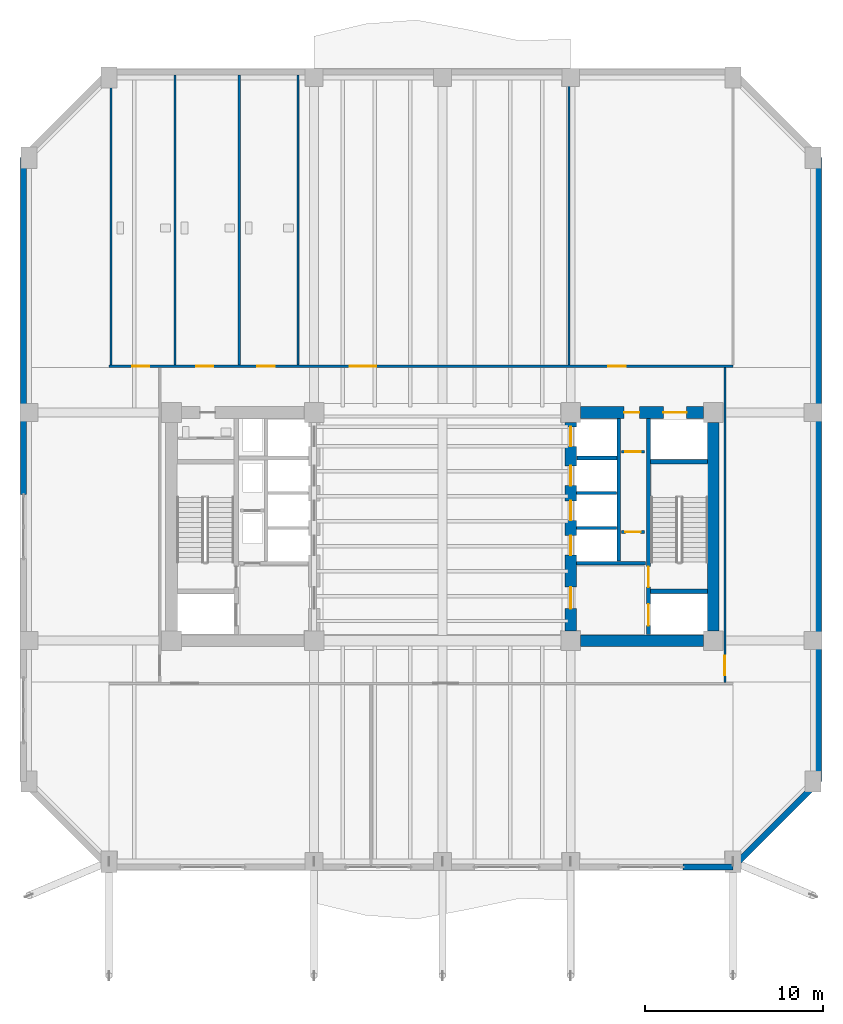
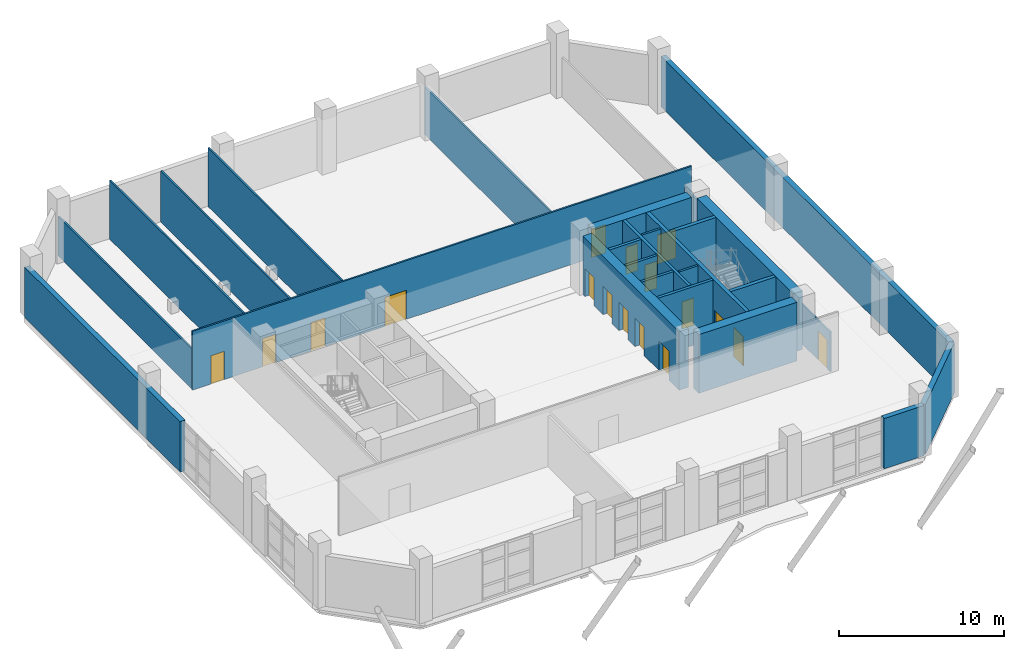
# One storey, part 10 of 16: 25 walls, 17 doors, 17 openings.
"""IFC4 building model written with IfcOpenShell, lengths in metres."""

from ifc_helpers import new_model, si_unit, direction, frame, frame_2d, origin, place, context, subcontext, project, spatial, rectangle, extrude, material, layer, layer_set, type_object, element, fill, save


model = new_model("IFC4")

# Units and contexts
model_context = context("Model", 3, precision=1e-05, world=origin(), true_north=direction((0.0, 1.0)))
body_context = subcontext(model_context, "Body", "Model", "MODEL_VIEW")
ifc_project = project(units=[si_unit("LENGTHUNIT", "METRE"), si_unit("AREAUNIT", "SQUARE_METRE"), si_unit("VOLUMEUNIT", "CUBIC_METRE"), si_unit("PLANEANGLEUNIT", "RADIAN"), si_unit("MASSUNIT", "GRAM", prefix="KILO")], contexts=[model_context])

# Site, building, storey
site_placement = place(None, origin())
site = spatial("IfcSite", under=ifc_project, at=site_placement, CompositionType="ELEMENT")
building_placement = place(site_placement, origin())
building = spatial("IfcBuilding", under=site, at=building_placement, Name="Kranthara Brick Stack", CompositionType="ELEMENT")
storey_placement = place(building_placement, frame((0.0, 0.0, 115.5)))
storey = spatial("IfcBuildingStorey", under=building, at=storey_placement, Name="L28", CompositionType="ELEMENT", Elevation=115.5)

# Walls
ifc_material_1 = material(Name="Kiln-fired clay brick masonry M15", Category="masonry")
ifc_layer_1 = layer(ifc_material_1, 0.35009765625)
ifc_layer_set_1 = layer_set([ifc_layer_1], Name="Kiln-fired clay brick masonry M15")
wall_type_1 = type_object("IfcWallType", Name="WL-BRK-SPND-350", PredefinedType="STANDARD", material=ifc_layer_set_1)
wall_1_placement = place(storey_placement, frame((44.300048828125, 8.094970703125, 0.0), z_axis=(0.0, 0.0, 1.0), x_axis=(-1.0, 0.0, 0.0)))
element("IfcWall", 1, at=wall_1_placement, inside=storey, type_object=wall_type_1, Name="L28 Exterior Brick Facade Wall SOUTH 1", PredefinedType="STANDARD", context=body_context, shape_type="SweptSolid", body=[
    extrude(rectangle(XDim=2.800048828125, YDim=0.35009765625, at=frame_2d((1.39990234375, 0.0))), origin(), (0.0, 0.0, 1.0), 3.735107421875),
])
wall_2_placement = place(storey_placement, frame((4.4951171875, 29.0, 0.0), z_axis=(0.0, 0.0, 1.0), x_axis=(0.0, 1.0, 0.0)))
element("IfcWall", 2, at=wall_2_placement, inside=storey, type_object=wall_type_1, Name="L28 Exterior Brick Facade Wall WEST 3", PredefinedType="STANDARD", context=body_context, shape_type="SweptSolid", body=[
    extrude(rectangle(XDim=18.89990234375, YDim=0.35009765625, at=frame_2d((9.449951171875, 0.0))), origin(), (0.0, 0.0, 1.0), 3.735107421875),
])
wall_3_placement = place(storey_placement, frame((49.10498046875, 47.89990234375, 0.0), z_axis=(0.0, 0.0, 1.0), x_axis=(0.0, -1.0, 0.0)))
element("IfcWall", 3, at=wall_3_placement, inside=storey, type_object=wall_type_1, Name="L28 Exterior Brick Facade Wall EAST 1", PredefinedType="STANDARD", context=body_context, shape_type="SweptSolid", body=[
    extrude(rectangle(XDim=35.0, YDim=0.35009765625, at=frame_2d((17.5, 0.0))), origin(), (0.0, 0.0, 1.0), 3.735107421875),
])
wall_4_placement = place(storey_placement, frame((49.10498046875, 12.89990234375, 0.0), z_axis=(0.0, 0.0, 1.0), x_axis=(-0.707106781187, -0.707106781187, 0.0)))
element("IfcWall", 4, at=wall_4_placement, inside=storey, type_object=wall_type_1, Name="L28 Exterior Brick Facade Wall SE 1", PredefinedType="STANDARD", context=body_context, shape_type="SweptSolid", body=[
    extrude(rectangle(XDim=6.795166015625, YDim=0.35009765625, at=frame_2d((3.3974609375, 0.0))), origin(), (0.0, 0.0, 1.0), 3.735107421875),
])

# Wall, openings, doors
ifc_material_2 = material(Name="Concrete C50/60", Category="concrete")
ifc_layer_2 = layer(ifc_material_2, 0.25)
ifc_layer_set_2 = layer_set([ifc_layer_2], Name="Concrete C50/60")
wall_type_2 = type_object("IfcWallType", Name="WL-CORE-250", PredefinedType="SHEAR", material=ifc_layer_set_2)
wall_5_placement = place(storey_placement, frame((39.56494140625, 21.135009765625, 0.0), z_axis=(0.0, 0.0, 1.0), x_axis=(0.0, 1.0, 0.0)))
wall_5 = element("IfcWall", 5, at=wall_5_placement, inside=storey, type_object=wall_type_2, Name="L28 East Core Stair Bearing Spine Wall", PredefinedType="SHEAR", context=body_context, shape_type="SweptSolid", body=[
    extrude(rectangle(XDim=12.1298828125, YDim=0.25, at=frame_2d((6.06494140625, 0.0))), origin(), (0.0, 0.0, 1.0), 4.35009765625),
])
opening_1_placement = place(wall_5_placement, frame((0.514892578125, 0.0, 0.0)))
opening_1 = element("IfcOpeningElement", 6, at=opening_1_placement, cuts=wall_5, Name="Opening LD01", PredefinedType="OPENING", context=body_context, shape_type="SweptSolid", body=[
    extrude(rectangle(XDim=1.199951171875, YDim=2.14990234375, at=frame_2d((0.60009765625, 1.074951171875))), frame((0.0, 0.135009765625, 0.0), z_axis=(0.0, -1.0, 0.0), x_axis=(1.0, 0.0, 0.0)), (0.0, 0.0, 1.0), 0.27001953125),
])
opening_2_placement = place(wall_5_placement, frame((2.6650390625, 0.0, 0.0)))
opening_2 = element("IfcOpeningElement", 7, at=opening_2_placement, cuts=wall_5, Name="Opening D05", PredefinedType="OPENING", context=body_context, shape_type="SweptSolid", body=[
    extrude(rectangle(XDim=1.14990234375, YDim=2.14990234375, at=frame_2d((0.574951171875, 1.074951171875))), frame((0.0, 0.135009765625, 0.0), z_axis=(0.0, -1.0, 0.0), x_axis=(1.0, 0.0, 0.0)), (0.0, 0.0, 1.0), 0.27001953125),
])
ifc_material_3 = material(Name="Stainless steel sliding landing door", Category="steel")
door_type_1 = type_object("IfcDoorType", Name="DR-LD-FF1200", OperationType="DOUBLE_DOOR_SLIDING", PredefinedType="DOOR", material=ifc_material_3)
door_1_placement = place(opening_1_placement, origin())
door_1 = element("IfcDoor", 8, at=door_1_placement, inside=storey, type_object=door_type_1, Name="L28 Firefighting Lift FF-02 Landing Door", OperationType="DOUBLE_DOOR_SLIDING", OverallHeight=2.14990234375, OverallWidth=1.199951171875, PredefinedType="DOOR", context=body_context, shape_type="SweptSolid", body=[
    extrude(rectangle(XDim=1.199951171875, YDim=2.14990234375, at=frame_2d((0.60009765625, 1.074951171875))), frame((0.0, 0.02490234375, 0.0), z_axis=(0.0, -1.0, 0.0), x_axis=(1.0, 0.0, 0.0)), (0.0, 0.0, 1.0), 0.050048828125),
])
fill(opening_1, door_1)
ifc_material_4 = material(Name="Solid-core hardwood timber leaf in steel frame", Category="steel")
door_type_2 = type_object("IfcDoorType", Name="DR-ST-1150", OperationType="NOTDEFINED", PredefinedType="DOOR", material=ifc_material_4)
door_2_placement = place(opening_2_placement, origin())
door_2 = element("IfcDoor", 9, at=door_2_placement, inside=storey, type_object=door_type_2, Name="L28 Exit Stair ST02 Door", OperationType="SINGLE_SWING_LEFT", OverallHeight=2.14990234375, OverallWidth=1.14990234375, PredefinedType="DOOR", context=body_context, shape_type="SweptSolid", body=[
    extrude(rectangle(XDim=1.14990234375, YDim=2.14990234375, at=frame_2d((0.574951171875, 1.074951171875))), frame((0.0, 0.02490234375, 0.0), z_axis=(0.0, -1.0, 0.0), x_axis=(1.0, 0.0, 0.0)), (0.0, 0.0, 1.0), 0.050048828125),
])
fill(opening_2, door_2)

# Walls
for number, where, z_axis, x_axis, name in (
    (10, (39.68994140625, 23.570068359375, 0.0), (0.0, 0.0, 1.0), (1.0, 0.0, 0.0), "L28 East Stairwell Bearing Wall EFF"),
    (11, (39.68994140625, 30.830078125, 0.0), (0.0, 0.0, 1.0), (1.0, 0.0, 0.0), "L28 East Stairwell Bearing Wall EST"),
):
    element("IfcWall", number, at=place(storey_placement, frame(where, z_axis=z_axis, x_axis=x_axis)), inside=storey, type_object=wall_type_2, Name=name, PredefinedType="SHEAR", context=body_context, shape_type="SweptSolid", body=[
        extrude(rectangle(XDim=3.175048828125, YDim=0.25, at=frame_2d((1.58740234375, 0.0))), origin(), (0.0, 0.0, 1.0), 4.35009765625),
    ])
ifc_material_5 = material(Name="Concrete C60/75", Category="concrete")
ifc_layer_3 = layer(ifc_material_5, 0.64990234375)
ifc_layer_set_3 = layer_set([ifc_layer_3], Name="Concrete C60/75")
wall_type_3 = type_object("IfcWallType", Name="WL-CORE-650", PredefinedType="SHEAR", material=ifc_layer_set_3)
wall_6_placement = place(storey_placement, frame((43.199951171875, 21.35498046875, 0.0), z_axis=(0.0, 0.0, 1.0), x_axis=(0.0, 1.0, 0.0)))
element("IfcWall", 12, at=wall_6_placement, inside=storey, type_object=wall_type_3, Name="L28 East Core Shear Wall East", PredefinedType="SHEAR", context=body_context, shape_type="SweptSolid", body=[
    extrude(rectangle(XDim=11.68994140625, YDim=0.64990234375, at=frame_2d((5.844970703125, 0.0))), origin(), (0.0, 0.0, 1.0), 4.35009765625),
])
wall_7_placement = place(storey_placement, frame((35.7548828125, 20.800048828125, 0.0), z_axis=(0.0, 0.0, 1.0), x_axis=(1.0, 0.0, 0.0)))
element("IfcWall", 13, at=wall_7_placement, inside=storey, type_object=wall_type_3, Name="L28 East Core Shear Wall South", PredefinedType="SHEAR", context=body_context, shape_type="SweptSolid", body=[
    extrude(rectangle(XDim=6.89013671875, YDim=0.64990234375, at=frame_2d((3.445068359375, 0.0))), origin(), (0.0, 0.0, 1.0), 4.35009765625),
])

# Wall, openings, doors
wall_8_placement = place(storey_placement, frame((35.7548828125, 33.60009765625, 0.0), z_axis=(0.0, 0.0, 1.0), x_axis=(1.0, 0.0, 0.0)))
wall_8 = element("IfcWall", 14, at=wall_8_placement, inside=storey, type_object=wall_type_3, Name="L28 East Core Shear Wall North", PredefinedType="SHEAR", context=body_context, shape_type="SweptSolid", body=[
    extrude(rectangle(XDim=6.89013671875, YDim=0.64990234375, at=frame_2d((3.445068359375, 0.0))), origin(), (0.0, 0.0, 1.0), 4.35009765625),
])
opening_3_placement = place(wall_8_placement, frame((4.64501953125, 0.0, 0.0)))
opening_3 = element("IfcOpeningElement", 15, at=opening_3_placement, cuts=wall_8, Name="Opening LD03", PredefinedType="OPENING", context=body_context, shape_type="SweptSolid", body=[
    extrude(rectangle(XDim=1.300048828125, YDim=2.14990234375, at=frame_2d((0.64990234375, 1.074951171875))), frame((0.0, 0.3349609375, 0.0), z_axis=(0.0, -1.0, 0.0), x_axis=(1.0, 0.0, 0.0)), (0.0, 0.0, 1.0), 0.669921875),
])
opening_4_placement = place(wall_8_placement, frame((2.445068359375, 0.0, 0.0)))
opening_4 = element("IfcOpeningElement", 16, at=opening_4_placement, cuts=wall_8, Name="Opening D10", PredefinedType="OPENING", context=body_context, shape_type="SweptSolid", body=[
    extrude(rectangle(XDim=0.85009765625, YDim=2.02001953125, at=frame_2d((0.425048828125, 1.010009765625))), frame((0.0, 0.3349609375, 0.0), z_axis=(0.0, -1.0, 0.0), x_axis=(1.0, 0.0, 0.0)), (0.0, 0.0, 1.0), 0.669921875),
])
ifc_material_6 = material(Name="Stainless steel sliding landing door", Category="steel")
door_type_3 = type_object("IfcDoorType", Name="DR-LD-SV1300", OperationType="DOUBLE_DOOR_SLIDING", PredefinedType="DOOR", material=ifc_material_6)
door_3_placement = place(opening_3_placement, origin())
door_3 = element("IfcDoor", 17, at=door_3_placement, inside=storey, type_object=door_type_3, Name="L28 Stretcher Service Lift SV-01 Landing Door", OperationType="DOUBLE_DOOR_SLIDING", OverallHeight=2.14990234375, OverallWidth=1.300048828125, PredefinedType="DOOR", context=body_context, shape_type="SweptSolid", body=[
    extrude(rectangle(XDim=1.300048828125, YDim=2.14990234375, at=frame_2d((0.64990234375, 1.074951171875))), frame((0.0, 0.02490234375, 0.0), z_axis=(0.0, -1.0, 0.0), x_axis=(1.0, 0.0, 0.0)), (0.0, 0.0, 1.0), 0.050048828125),
])
fill(opening_3, door_3)
ifc_material_7 = material(Name="Solid-core hardwood timber leaf in steel frame", Category="steel")
door_type_4 = type_object("IfcDoorType", Name="DR-RSR-850", OperationType="NOTDEFINED", PredefinedType="DOOR", material=ifc_material_7)
door_4_placement = place(opening_4_placement, origin())
door_4 = element("IfcDoor", 18, at=door_4_placement, inside=storey, type_object=door_type_4, Name="L28 East Core Service Room Door", OperationType="SINGLE_SWING_LEFT", OverallHeight=2.02001953125, OverallWidth=0.85009765625, PredefinedType="DOOR", context=body_context, shape_type="SweptSolid", body=[
    extrude(rectangle(XDim=0.85009765625, YDim=2.02001953125, at=frame_2d((0.425048828125, 1.010009765625))), frame((0.0, 0.02490234375, 0.0), z_axis=(0.0, -1.0, 0.0), x_axis=(1.0, 0.0, 0.0)), (0.0, 0.0, 1.0), 0.050048828125),
])
fill(opening_4, door_4)

wall_9_placement = place(storey_placement, frame((35.199951171875, 21.35498046875, 0.0), z_axis=(0.0, 0.0, 1.0), x_axis=(0.0, 1.0, 0.0)))
wall_9 = element("IfcWall", 19, at=wall_9_placement, inside=storey, type_object=wall_type_3, Name="L28 East Core Shear Wall West", PredefinedType="SHEAR", context=body_context, shape_type="SweptSolid", body=[
    extrude(rectangle(XDim=11.68994140625, YDim=0.64990234375, at=frame_2d((5.844970703125, 0.0))), origin(), (0.0, 0.0, 1.0), 4.35009765625),
])
opening_5_placement = place(wall_9_placement, frame((1.2451171875, 0.0, 0.0)))
opening_5 = element("IfcOpeningElement", 20, at=opening_5_placement, cuts=wall_9, Name="Opening D06", PredefinedType="OPENING", context=body_context, shape_type="SweptSolid", body=[
    extrude(rectangle(XDim=1.199951171875, YDim=2.14990234375, at=frame_2d((0.60009765625, 1.074951171875))), frame((0.0, 0.3349609375, 0.0), z_axis=(0.0, -1.0, 0.0), x_axis=(1.0, 0.0, 0.0)), (0.0, 0.0, 1.0), 0.669921875),
])
opening_6_placement = place(wall_9_placement, frame((4.2451171875, 0.0, 0.0)))
opening_6 = element("IfcOpeningElement", 21, at=opening_6_placement, cuts=wall_9, Name="Opening LD02", PredefinedType="OPENING", context=body_context, shape_type="SweptSolid", body=[
    extrude(rectangle(XDim=1.10009765625, YDim=2.10009765625, at=frame_2d((0.550048828125, 1.050048828125))), frame((0.0, 0.3349609375, 0.0), z_axis=(0.0, -1.0, 0.0), x_axis=(1.0, 0.0, 0.0)), (0.0, 0.0, 1.0), 0.669921875),
])
opening_7_placement = place(wall_9_placement, frame((6.195068359375, 0.0, 0.0)))
opening_7 = element("IfcOpeningElement", 22, at=opening_7_placement, cuts=wall_9, Name="Opening LD02", PredefinedType="OPENING", context=body_context, shape_type="SweptSolid", body=[
    extrude(rectangle(XDim=1.10009765625, YDim=2.10009765625, at=frame_2d((0.550048828125, 1.050048828125))), frame((0.0, 0.3349609375, 0.0), z_axis=(0.0, -1.0, 0.0), x_axis=(1.0, 0.0, 0.0)), (0.0, 0.0, 1.0), 0.669921875),
])
opening_8_placement = place(wall_9_placement, frame((8.14501953125, 0.0, 0.0)))
opening_8 = element("IfcOpeningElement", 23, at=opening_8_placement, cuts=wall_9, Name="Opening LD02", PredefinedType="OPENING", context=body_context, shape_type="SweptSolid", body=[
    extrude(rectangle(XDim=1.10009765625, YDim=2.10009765625, at=frame_2d((0.550048828125, 1.050048828125))), frame((0.0, 0.3349609375, 0.0), z_axis=(0.0, -1.0, 0.0), x_axis=(1.0, 0.0, 0.0)), (0.0, 0.0, 1.0), 0.669921875),
])
opening_9_placement = place(wall_9_placement, frame((10.344970703125, 0.0, 0.0)))
opening_9 = element("IfcOpeningElement", 24, at=opening_9_placement, cuts=wall_9, Name="Opening LD02", PredefinedType="OPENING", context=body_context, shape_type="SweptSolid", body=[
    extrude(rectangle(XDim=1.10009765625, YDim=2.10009765625, at=frame_2d((0.550048828125, 1.050048828125))), frame((0.0, 0.3349609375, 0.0), z_axis=(0.0, -1.0, 0.0), x_axis=(1.0, 0.0, 0.0)), (0.0, 0.0, 1.0), 0.669921875),
])
ifc_material_8 = material(Name="Solid-core hardwood timber leaf in steel frame", Category="steel")
door_type_5 = type_object("IfcDoorType", Name="DR-FFL-1200", OperationType="NOTDEFINED", PredefinedType="DOOR", material=ifc_material_8)
door_5_placement = place(opening_5_placement, origin())
door_5 = element("IfcDoor", 25, at=door_5_placement, inside=storey, type_object=door_type_5, Name="L28 East Firefighting Lobby Door", OperationType="SINGLE_SWING_RIGHT", OverallHeight=2.14990234375, OverallWidth=1.199951171875, PredefinedType="DOOR", context=body_context, shape_type="SweptSolid", body=[
    extrude(rectangle(XDim=1.199951171875, YDim=2.14990234375, at=frame_2d((0.60009765625, 1.074951171875))), frame((0.0, 0.02490234375, 0.0), z_axis=(0.0, -1.0, 0.0), x_axis=(1.0, 0.0, 0.0)), (0.0, 0.0, 1.0), 0.050048828125),
])
fill(opening_5, door_5)
ifc_material_9 = material(Name="Stainless steel sliding landing door", Category="steel")
door_type_6 = type_object("IfcDoorType", Name="DR-LD-PL1100", OperationType="DOUBLE_DOOR_SLIDING", PredefinedType="DOOR", material=ifc_material_9)
door_6_placement = place(opening_6_placement, origin())
door_6 = element("IfcDoor", 26, at=door_6_placement, inside=storey, type_object=door_type_6, Name="L28 PL-04 Lift Landing Door", OperationType="DOUBLE_DOOR_SLIDING", OverallHeight=2.10009765625, OverallWidth=1.10009765625, PredefinedType="DOOR", context=body_context, shape_type="SweptSolid", body=[
    extrude(rectangle(XDim=1.10009765625, YDim=2.10009765625, at=frame_2d((0.550048828125, 1.050048828125))), frame((0.0, 0.02490234375, 0.0), z_axis=(0.0, -1.0, 0.0), x_axis=(1.0, 0.0, 0.0)), (0.0, 0.0, 1.0), 0.050048828125),
])
fill(opening_6, door_6)
door_7_placement = place(opening_7_placement, origin())
door_7 = element("IfcDoor", 27, at=door_7_placement, inside=storey, type_object=door_type_6, Name="L28 PL-05 Lift Landing Door", OperationType="DOUBLE_DOOR_SLIDING", OverallHeight=2.10009765625, OverallWidth=1.10009765625, PredefinedType="DOOR", context=body_context, shape_type="SweptSolid", body=[
    extrude(rectangle(XDim=1.10009765625, YDim=2.10009765625, at=frame_2d((0.550048828125, 1.050048828125))), frame((0.0, 0.02490234375, 0.0), z_axis=(0.0, -1.0, 0.0), x_axis=(1.0, 0.0, 0.0)), (0.0, 0.0, 1.0), 0.050048828125),
])
fill(opening_7, door_7)
door_8_placement = place(opening_8_placement, origin())
door_8 = element("IfcDoor", 28, at=door_8_placement, inside=storey, type_object=door_type_6, Name="L28 PL-06 Lift Landing Door", OperationType="DOUBLE_DOOR_SLIDING", OverallHeight=2.10009765625, OverallWidth=1.10009765625, PredefinedType="DOOR", context=body_context, shape_type="SweptSolid", body=[
    extrude(rectangle(XDim=1.10009765625, YDim=2.10009765625, at=frame_2d((0.550048828125, 1.050048828125))), frame((0.0, 0.02490234375, 0.0), z_axis=(0.0, -1.0, 0.0), x_axis=(1.0, 0.0, 0.0)), (0.0, 0.0, 1.0), 0.050048828125),
])
fill(opening_8, door_8)
door_9_placement = place(opening_9_placement, origin())
door_9 = element("IfcDoor", 29, at=door_9_placement, inside=storey, type_object=door_type_6, Name="L28 PL-08 Lift Landing Door", OperationType="DOUBLE_DOOR_SLIDING", OverallHeight=2.10009765625, OverallWidth=1.10009765625, PredefinedType="DOOR", context=body_context, shape_type="SweptSolid", body=[
    extrude(rectangle(XDim=1.10009765625, YDim=2.10009765625, at=frame_2d((0.550048828125, 1.050048828125))), frame((0.0, 0.02490234375, 0.0), z_axis=(0.0, -1.0, 0.0), x_axis=(1.0, 0.0, 0.0)), (0.0, 0.0, 1.0), 0.050048828125),
])
fill(opening_9, door_9)

ifc_material_10 = material(Name="Acoustic gypsum plasterboard partition", Category="other")
ifc_layer_4 = layer(ifc_material_10, 0.1201171875)
ifc_layer_set_4 = layer_set([ifc_layer_4], Name="Acoustic gypsum plasterboard partition")
wall_type_4 = type_object("IfcWallType", Name="WL-PART-120", PredefinedType="PARTITIONING", material=ifc_layer_set_4)
wall_10_placement = place(storey_placement, frame((9.300048828125, 36.199951171875, 0.0), z_axis=(0.0, 0.0, 1.0), x_axis=(1.0, 0.0, 0.0)))
wall_10 = element("IfcWall", 30, at=wall_10_placement, inside=storey, type_object=wall_type_4, Name="L28 Interior Partition 006", PredefinedType="PARTITIONING", context=body_context, shape_type="SweptSolid", body=[
    extrude(rectangle(XDim=35.0, YDim=0.1201171875, at=frame_2d((17.5, 0.0))), origin(), (0.0, 0.0, 1.0), 4.35009765625),
])
opening_10_placement = place(wall_10_placement, frame((1.300048828125, 0.0, 0.0)))
opening_10 = element("IfcOpeningElement", 31, at=opening_10_placement, cuts=wall_10, Name="Opening D14", PredefinedType="OPENING", context=body_context, shape_type="SweptSolid", body=[
    extrude(rectangle(XDim=0.949951171875, YDim=2.10009765625, at=frame_2d((0.47509765625, 1.050048828125))), frame((0.0, 0.070068359375, 0.0), z_axis=(0.0, -1.0, 0.0), x_axis=(1.0, 0.0, 0.0)), (0.0, 0.0, 1.0), 0.14013671875),
])
opening_11_placement = place(wall_10_placement, frame((4.89990234375, 0.0, 0.0)))
opening_11 = element("IfcOpeningElement", 32, at=opening_11_placement, cuts=wall_10, Name="Opening D14", PredefinedType="OPENING", context=body_context, shape_type="SweptSolid", body=[
    extrude(rectangle(XDim=0.949951171875, YDim=2.10009765625, at=frame_2d((0.47509765625, 1.050048828125))), frame((0.0, 0.070068359375, 0.0), z_axis=(0.0, -1.0, 0.0), x_axis=(1.0, 0.0, 0.0)), (0.0, 0.0, 1.0), 0.14013671875),
])
opening_12_placement = place(wall_10_placement, frame((8.300048828125, 0.0, 0.0)))
opening_12 = element("IfcOpeningElement", 33, at=opening_12_placement, cuts=wall_10, Name="Opening D18", PredefinedType="OPENING", context=body_context, shape_type="SweptSolid", body=[
    extrude(rectangle(XDim=1.0, YDim=2.10009765625, at=frame_2d((0.5, 1.050048828125))), frame((0.0, 0.070068359375, 0.0), z_axis=(0.0, -1.0, 0.0), x_axis=(1.0, 0.0, 0.0)), (0.0, 0.0, 1.0), 0.14013671875),
])
opening_13_placement = place(wall_10_placement, frame((13.5, 0.0, 0.0)))
opening_13 = element("IfcOpeningElement", 34, at=opening_13_placement, cuts=wall_10, Name="Opening D20", PredefinedType="OPENING", context=body_context, shape_type="SweptSolid", body=[
    extrude(rectangle(XDim=1.5, YDim=2.14990234375, at=frame_2d((0.75, 1.074951171875))), frame((0.0, 0.070068359375, 0.0), z_axis=(0.0, -1.0, 0.0), x_axis=(1.0, 0.0, 0.0)), (0.0, 0.0, 1.0), 0.14013671875),
])
opening_14_placement = place(wall_10_placement, frame((28.0, 0.0, 0.0)))
opening_14 = element("IfcOpeningElement", 35, at=opening_14_placement, cuts=wall_10, Name="Opening D13", PredefinedType="OPENING", context=body_context, shape_type="SweptSolid", body=[
    extrude(rectangle(XDim=1.0, YDim=2.10009765625, at=frame_2d((0.5, 1.050048828125))), frame((0.0, 0.070068359375, 0.0), z_axis=(0.0, -1.0, 0.0), x_axis=(1.0, 0.0, 0.0)), (0.0, 0.0, 1.0), 0.14013671875),
])
ifc_material_11 = material(Name="Solid-core hardwood timber leaf in steel frame", Category="steel")
door_type_7 = type_object("IfcDoorType", Name="DR-ACC-1000", OperationType="NOTDEFINED", PredefinedType="DOOR", material=ifc_material_11)
door_10_placement = place(opening_12_placement, origin())
door_10 = element("IfcDoor", 36, at=door_10_placement, inside=storey, type_object=door_type_7, Name="L28 Accessible WC 09", OperationType="SINGLE_SWING_LEFT", OverallHeight=2.10009765625, OverallWidth=1.0, PredefinedType="DOOR", context=body_context, shape_type="SweptSolid", body=[
    extrude(rectangle(XDim=1.0, YDim=2.10009765625, at=frame_2d((0.5, 1.050048828125))), frame((0.0, 0.02490234375, 0.0), z_axis=(0.0, -1.0, 0.0), x_axis=(1.0, 0.0, 0.0)), (0.0, 0.0, 1.0), 0.050048828125),
])
fill(opening_12, door_10)
ifc_material_12 = material(Name="Solid-core hardwood timber leaf in steel frame", Category="steel")
door_type_8 = type_object("IfcDoorType", Name="DR-DBL-1500", OperationType="DOUBLE_DOOR_SINGLE_SWING", PredefinedType="DOOR", material=ifc_material_12)
door_11_placement = place(opening_13_placement, origin())
door_11 = element("IfcDoor", 37, at=door_11_placement, inside=storey, type_object=door_type_8, Name="L28 Fitness Club Door 10", OperationType="DOUBLE_DOOR_SINGLE_SWING", OverallHeight=2.14990234375, OverallWidth=1.5, PredefinedType="DOOR", context=body_context, shape_type="SweptSolid", body=[
    extrude(rectangle(XDim=1.5, YDim=2.14990234375, at=frame_2d((0.75, 1.074951171875))), frame((0.0, 0.02490234375, 0.0), z_axis=(0.0, -1.0, 0.0), x_axis=(1.0, 0.0, 0.0)), (0.0, 0.0, 1.0), 0.050048828125),
])
fill(opening_13, door_11)
ifc_material_13 = material(Name="Solid-core hardwood timber leaf in steel frame", Category="steel")
door_type_9 = type_object("IfcDoorType", Name="DR-INT-1000", OperationType="NOTDEFINED", PredefinedType="DOOR", material=ifc_material_13)
door_12_placement = place(opening_14_placement, origin())
door_12 = element("IfcDoor", 38, at=door_12_placement, inside=storey, type_object=door_type_9, Name="L28 Equipment Store Door 11", OperationType="SINGLE_SWING_LEFT", OverallHeight=2.10009765625, OverallWidth=1.0, PredefinedType="DOOR", context=body_context, shape_type="SweptSolid", body=[
    extrude(rectangle(XDim=1.0, YDim=2.10009765625, at=frame_2d((0.5, 1.050048828125))), frame((0.0, 0.02490234375, 0.0), z_axis=(0.0, -1.0, 0.0), x_axis=(1.0, 0.0, 0.0)), (0.0, 0.0, 1.0), 0.050048828125),
])
fill(opening_14, door_12)
ifc_material_14 = material(Name="Solid-core hardwood timber leaf in steel frame", Category="steel")
door_type_10 = type_object("IfcDoorType", Name="DR-INT-950", OperationType="NOTDEFINED", PredefinedType="DOOR", material=ifc_material_14)
door_13_placement = place(opening_10_placement, origin())
door_13 = element("IfcDoor", 39, at=door_13_placement, inside=storey, type_object=door_type_10, Name="L28 Male WC 07", OperationType="SINGLE_SWING_LEFT", OverallHeight=2.10009765625, OverallWidth=0.949951171875, PredefinedType="DOOR", context=body_context, shape_type="SweptSolid", body=[
    extrude(rectangle(XDim=0.949951171875, YDim=2.10009765625, at=frame_2d((0.47509765625, 1.050048828125))), frame((0.0, 0.02490234375, 0.0), z_axis=(0.0, -1.0, 0.0), x_axis=(1.0, 0.0, 0.0)), (0.0, 0.0, 1.0), 0.050048828125),
])
fill(opening_10, door_13)
door_14_placement = place(opening_11_placement, origin())
door_14 = element("IfcDoor", 40, at=door_14_placement, inside=storey, type_object=door_type_10, Name="L28 Female WC 08", OperationType="SINGLE_SWING_RIGHT", OverallHeight=2.10009765625, OverallWidth=0.949951171875, PredefinedType="DOOR", context=body_context, shape_type="SweptSolid", body=[
    extrude(rectangle(XDim=0.949951171875, YDim=2.10009765625, at=frame_2d((0.47509765625, 1.050048828125))), frame((0.0, 0.02490234375, 0.0), z_axis=(0.0, -1.0, 0.0), x_axis=(1.0, 0.0, 0.0)), (0.0, 0.0, 1.0), 0.050048828125),
])
fill(opening_11, door_14)

# Walls
wall_11_placement = place(storey_placement, frame((9.39990234375, 36.264892578125, 0.0), z_axis=(0.0, 0.0, 1.0), x_axis=(0.0, 1.0, 0.0)))
element("IfcWall", 41, at=wall_11_placement, inside=storey, type_object=wall_type_4, Name="L28 Interior Partition 008", PredefinedType="PARTITIONING", context=body_context, shape_type="SweptSolid", body=[
    extrude(rectangle(XDim=16.260009765625, YDim=0.1201171875, at=frame_2d((8.1298828125, 0.0))), origin(), (0.0, 0.0, 1.0), 2.93505859375),
])
wall_12_placement = place(storey_placement, frame((13.0, 36.264892578125, 0.0), z_axis=(0.0, 0.0, 1.0), x_axis=(0.0, 1.0, 0.0)))
element("IfcWall", 42, at=wall_12_placement, inside=storey, type_object=wall_type_4, Name="L28 Interior Partition 009", PredefinedType="PARTITIONING", context=body_context, shape_type="SweptSolid", body=[
    extrude(rectangle(XDim=16.260009765625, YDim=0.1201171875, at=frame_2d((8.1298828125, 0.0))), origin(), (0.0, 0.0, 1.0), 4.35009765625),
])
wall_13_placement = place(storey_placement, frame((16.60009765625, 36.264892578125, 0.0), z_axis=(0.0, 0.0, 1.0), x_axis=(0.0, 1.0, 0.0)))
element("IfcWall", 43, at=wall_13_placement, inside=storey, type_object=wall_type_4, Name="L28 Interior Partition 010", PredefinedType="PARTITIONING", context=body_context, shape_type="SweptSolid", body=[
    extrude(rectangle(XDim=16.260009765625, YDim=0.1201171875, at=frame_2d((8.1298828125, 0.0))), origin(), (0.0, 0.0, 1.0), 3.784912109375),
])
wall_14_placement = place(storey_placement, frame((19.89990234375, 36.264892578125, 0.0), z_axis=(0.0, 0.0, 1.0), x_axis=(0.0, 1.0, 0.0)))
element("IfcWall", 44, at=wall_14_placement, inside=storey, type_object=wall_type_4, Name="L28 Interior Partition 011", PredefinedType="PARTITIONING", context=body_context, shape_type="SweptSolid", body=[
    extrude(rectangle(XDim=16.260009765625, YDim=0.1201171875, at=frame_2d((8.1298828125, 0.0))), origin(), (0.0, 0.0, 1.0), 4.35009765625),
])
wall_15_placement = place(storey_placement, frame((35.10009765625, 36.264892578125, 0.0), z_axis=(0.0, 0.0, 1.0), x_axis=(0.0, 1.0, 0.0)))
element("IfcWall", 45, at=wall_15_placement, inside=storey, type_object=wall_type_4, Name="L28 Interior Partition 013", PredefinedType="PARTITIONING", context=body_context, shape_type="SweptSolid", body=[
    extrude(rectangle(XDim=16.260009765625, YDim=0.1201171875, at=frame_2d((8.1298828125, 0.0))), origin(), (0.0, 0.0, 1.0), 3.534912109375),
])

# Wall, opening, door
wall_16_placement = place(storey_placement, frame((43.85009765625, 18.465087890625, 0.0), z_axis=(0.0, 0.0, 1.0), x_axis=(0.0, 1.0, 0.0)))
wall_16 = element("IfcWall", 46, at=wall_16_placement, inside=storey, type_object=wall_type_4, Name="L28 Interior Partition 015", PredefinedType="PARTITIONING", context=body_context, shape_type="SweptSolid", body=[
    extrude(rectangle(XDim=17.669921875, YDim=0.1201171875, at=frame_2d((8.8349609375, 0.0))), origin(), (0.0, 0.0, 1.0), 2.93505859375),
])
opening_15_placement = place(wall_16_placement, frame((0.385009765625, 0.0, 0.0)))
opening_15 = element("IfcOpeningElement", 47, at=opening_15_placement, cuts=wall_16, Name="Opening D11", PredefinedType="OPENING", context=body_context, shape_type="SweptSolid", body=[
    extrude(rectangle(XDim=1.10009765625, YDim=2.14990234375, at=frame_2d((0.550048828125, 1.074951171875))), frame((0.0, 0.070068359375, 0.0), z_axis=(0.0, -1.0, 0.0), x_axis=(1.0, 0.0, 0.0)), (0.0, 0.0, 1.0), 0.14013671875),
])
ifc_material_15 = material(Name="Solid-core hardwood timber leaf in steel frame", Category="steel")
door_type_11 = type_object("IfcDoorType", Name="DR-INT-1100", OperationType="NOTDEFINED", PredefinedType="DOOR", material=ifc_material_15)
door_15_placement = place(opening_15_placement, origin())
door_15 = element("IfcDoor", 48, at=door_15_placement, inside=storey, type_object=door_type_11, Name="L28 East Sky Club Door 13", OperationType="SINGLE_SWING_LEFT", OverallHeight=2.14990234375, OverallWidth=1.10009765625, PredefinedType="DOOR", context=body_context, shape_type="SweptSolid", body=[
    extrude(rectangle(XDim=1.10009765625, YDim=2.14990234375, at=frame_2d((0.550048828125, 1.074951171875))), frame((0.0, 0.02490234375, 0.0), z_axis=(0.0, -1.0, 0.0), x_axis=(1.0, 0.0, 0.0)), (0.0, 0.0, 1.0), 0.050048828125),
])
fill(opening_15, door_15)

ifc_material_16 = material(Name="Fire-rated gypsum board partition", Category="other")
ifc_layer_5 = layer(ifc_material_16, 0.14990234375)
ifc_layer_set_5 = layer_set([ifc_layer_5], Name="Fire-rated gypsum board partition")
wall_type_5 = type_object("IfcWallType", Name="WL-PART-150", PredefinedType="PARTITIONING", material=ifc_layer_set_5)
wall_17_placement = place(storey_placement, frame((38.050048828125, 26.89990234375, 0.0), z_axis=(0.0, 0.0, 1.0), x_axis=(1.0, 0.0, 0.0)))
wall_17 = element("IfcWall", 49, at=wall_17_placement, inside=storey, type_object=wall_type_5, Name="L28 Interior Partition 002", PredefinedType="PARTITIONING", context=body_context, shape_type="SweptSolid", body=[
    extrude(rectangle(XDim=1.300048828125, YDim=0.14990234375, at=frame_2d((0.64990234375, 0.0))), origin(), (0.0, 0.0, 1.0), 4.35009765625),
])
opening_16_placement = place(wall_17_placement, frame((0.219970703125, 0.0, 0.0)))
opening_16 = element("IfcOpeningElement", 50, at=opening_16_placement, cuts=wall_17, Name="Opening D10", PredefinedType="OPENING", context=body_context, shape_type="SweptSolid", body=[
    extrude(rectangle(XDim=0.85009765625, YDim=2.02001953125, at=frame_2d((0.425048828125, 1.010009765625))), frame((0.0, 0.0849609375, 0.0), z_axis=(0.0, -1.0, 0.0), x_axis=(1.0, 0.0, 0.0)), (0.0, 0.0, 1.0), 0.169921875),
])
door_16_placement = place(opening_16_placement, origin())
door_16 = element("IfcDoor", 51, at=door_16_placement, inside=storey, type_object=door_type_4, Name="L28 East Valve Door 02", OperationType="SINGLE_SWING_RIGHT", OverallHeight=2.02001953125, OverallWidth=0.85009765625, PredefinedType="DOOR", context=body_context, shape_type="SweptSolid", body=[
    extrude(rectangle(XDim=0.85009765625, YDim=2.02001953125, at=frame_2d((0.425048828125, 1.010009765625))), frame((0.0, 0.02490234375, 0.0), z_axis=(0.0, -1.0, 0.0), x_axis=(1.0, 0.0, 0.0)), (0.0, 0.0, 1.0), 0.050048828125),
])
fill(opening_16, door_16)

wall_18_placement = place(storey_placement, frame((38.050048828125, 31.39990234375, 0.0), z_axis=(0.0, 0.0, 1.0), x_axis=(1.0, 0.0, 0.0)))
wall_18 = element("IfcWall", 52, at=wall_18_placement, inside=storey, type_object=wall_type_5, Name="L28 Interior Partition 003", PredefinedType="PARTITIONING", context=body_context, shape_type="SweptSolid", body=[
    extrude(rectangle(XDim=1.300048828125, YDim=0.14990234375, at=frame_2d((0.64990234375, 0.0))), origin(), (0.0, 0.0, 1.0), 4.35009765625),
])
opening_17_placement = place(wall_18_placement, frame((0.219970703125, 0.0, 0.0)))
opening_17 = element("IfcOpeningElement", 53, at=opening_17_placement, cuts=wall_18, Name="Opening D10", PredefinedType="OPENING", context=body_context, shape_type="SweptSolid", body=[
    extrude(rectangle(XDim=0.85009765625, YDim=2.02001953125, at=frame_2d((0.425048828125, 1.010009765625))), frame((0.0, 0.0849609375, 0.0), z_axis=(0.0, -1.0, 0.0), x_axis=(1.0, 0.0, 0.0)), (0.0, 0.0, 1.0), 0.169921875),
])
door_17_placement = place(opening_17_placement, origin())
door_17 = element("IfcDoor", 54, at=door_17_placement, inside=storey, type_object=door_type_4, Name="L28 East Switch Door 03", OperationType="SINGLE_SWING_LEFT", OverallHeight=2.02001953125, OverallWidth=0.85009765625, PredefinedType="DOOR", context=body_context, shape_type="SweptSolid", body=[
    extrude(rectangle(XDim=0.85009765625, YDim=2.02001953125, at=frame_2d((0.425048828125, 1.010009765625))), frame((0.0, 0.02490234375, 0.0), z_axis=(0.0, -1.0, 0.0), x_axis=(1.0, 0.0, 0.0)), (0.0, 0.0, 1.0), 0.050048828125),
])
fill(opening_17, door_17)

# Walls
ifc_material_17 = material(Name="Gypsum plasterboard on acoustic twin stud", Category="other")
ifc_layer_6 = layer(ifc_material_17, 0.179931640625)
ifc_layer_set_6 = layer_set([ifc_layer_6], Name="Gypsum plasterboard on acoustic twin stud")
wall_type_6 = type_object("IfcWallType", Name="WL-PART-180", PredefinedType="PARTITIONING", material=ifc_layer_set_6)
for number, where, z_axis, x_axis, name in (
    (55, (35.534912109375, 27.1201171875, 0.0), (0.0, 0.0, 1.0), (1.0, 0.0, 0.0), "L28 East Hoistway Wall EH1"),
    (56, (35.534912109375, 29.080078125, 0.0), (0.0, 0.0, 1.0), (1.0, 0.0, 0.0), "L28 East Hoistway Wall EH2"),
):
    element("IfcWall", number, at=place(storey_placement, frame(where, z_axis=z_axis, x_axis=x_axis)), inside=storey, type_object=wall_type_6, Name=name, PredefinedType="PARTITIONING", context=body_context, shape_type="SweptSolid", body=[
        extrude(rectangle(XDim=2.2451171875, YDim=0.179931640625, at=frame_2d((1.12255859375, 0.0))), origin(), (0.0, 0.0, 1.0), 4.35009765625),
    ])
ifc_material_18 = material(Name="Concrete C40/50", Category="concrete")
ifc_layer_7 = layer(ifc_material_18, 0.199951171875)
ifc_layer_set_7 = layer_set([ifc_layer_7], Name="Concrete C40/50")
wall_type_7 = type_object("IfcWallType", Name="WL-PART-200", PredefinedType="SOLIDWALL", material=ifc_layer_set_7)
wall_19_placement = place(storey_placement, frame((35.534912109375, 25.14990234375, 0.0), z_axis=(0.0, 0.0, 1.0), x_axis=(1.0, 0.0, 0.0)))
element("IfcWall", 57, at=wall_19_placement, inside=storey, type_object=wall_type_7, Name="L28 East Core Cross Wall EFL", PredefinedType="SOLIDWALL", context=body_context, shape_type="SweptSolid", body=[
    extrude(rectangle(XDim=3.864990234375, YDim=0.199951171875, at=frame_2d((1.9326171875, 0.0))), origin(), (0.0, 0.0, 1.0), 4.35009765625),
])
wall_20_placement = place(storey_placement, frame((35.550048828125, 31.050048828125, 0.0), z_axis=(0.0, 0.0, 1.0), x_axis=(1.0, 0.0, 0.0)))
element("IfcWall", 58, at=wall_20_placement, inside=storey, type_object=wall_type_7, Name="L28 East Core Cross Wall EE4", PredefinedType="SOLIDWALL", context=body_context, shape_type="SweptSolid", body=[
    extrude(rectangle(XDim=2.25, YDim=0.199951171875, at=frame_2d((1.125, 0.0))), origin(), (0.0, 0.0, 1.0), 4.35009765625),
])
wall_21_placement = place(storey_placement, frame((37.89990234375, 25.27001953125, 0.0), z_axis=(0.0, 0.0, 1.0), x_axis=(0.0, 1.0, 0.0)))
element("IfcWall", 59, at=wall_21_placement, inside=storey, type_object=wall_type_7, Name="L28 East Core Cross Wall ESV", PredefinedType="SOLIDWALL", context=body_context, shape_type="SweptSolid", body=[
    extrude(rectangle(XDim=7.994873046875, YDim=0.199951171875, at=frame_2d((3.99755859375, 0.0))), origin(), (0.0, 0.0, 1.0), 4.35009765625),
])

save(model, "model.ifc")
